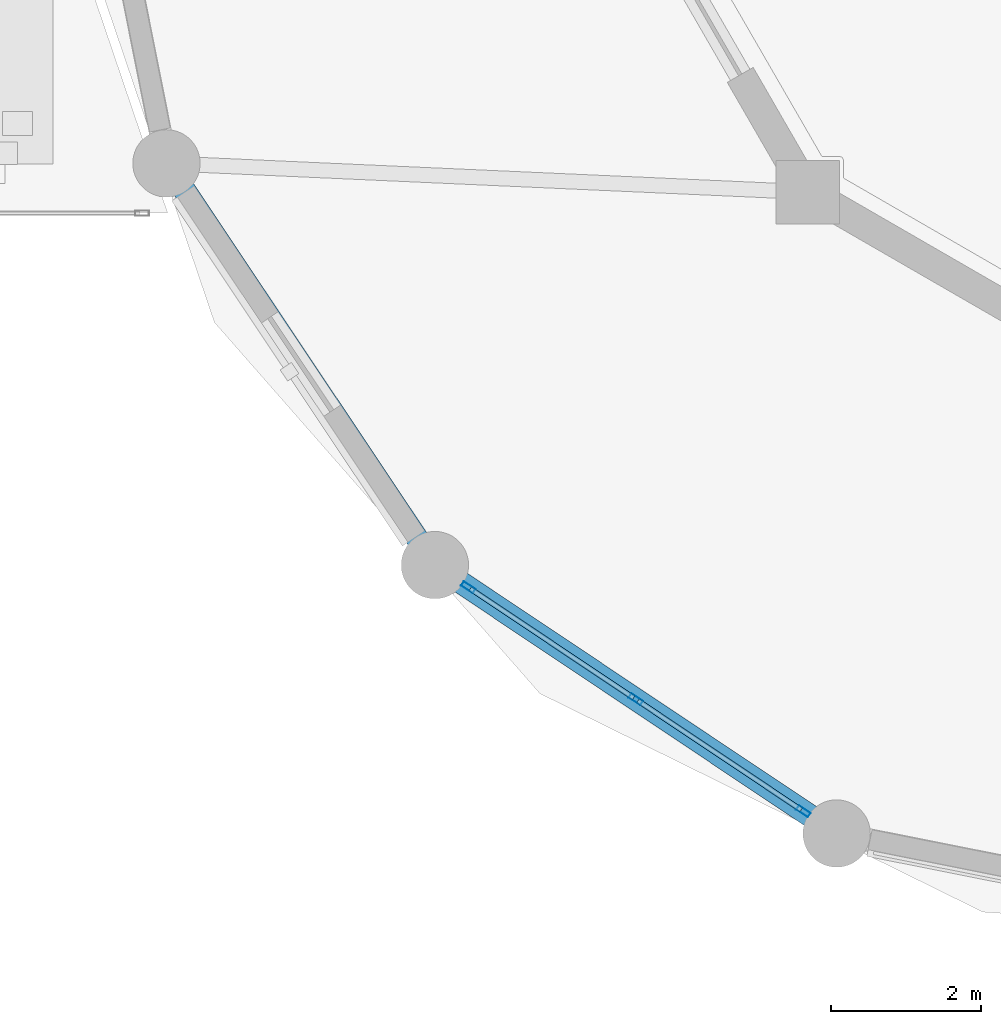
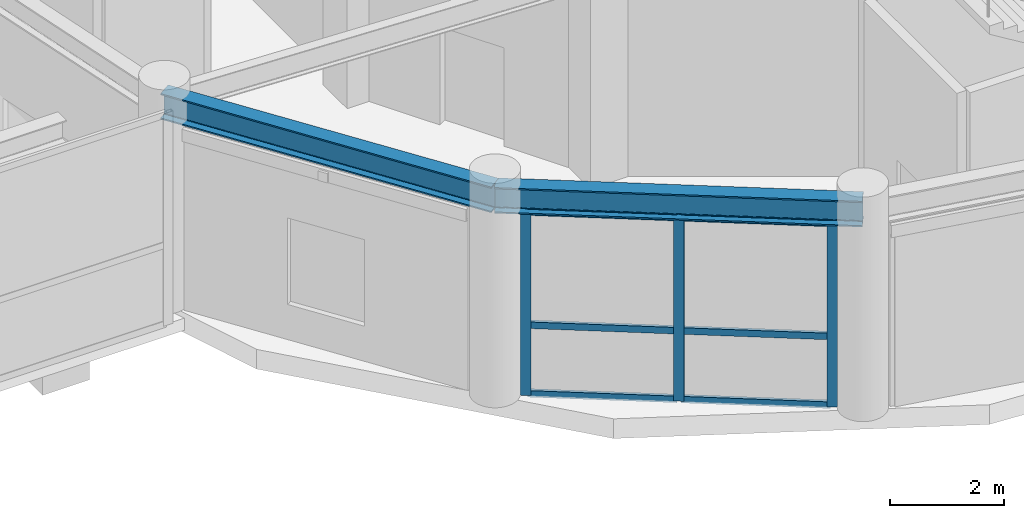
# One storey, part 22 of 48: 9 members, 2 beams, 1 element without a shape of its own.
"""IFC4 building model written with IfcOpenShell, lengths in metres."""

from ifc_helpers import new_model, si_unit, derived_unit, direction, frame, origin, origin_2d, place, context, subcontext, project, spatial, hollow_rectangle, i_section, extrude, source, transform, mapped, material, layer, layer_set, material_profile, profile_set, type_object, element, aggregate, save


model = new_model("IFC4")

# Units and contexts
model_context = context("Model", 3, precision=1e-05, world=origin(), true_north=direction((0.0, 1.0)))
body_context = subcontext(model_context, "Body", "Model", "MODEL_VIEW")
ifc_project = project(units=[si_unit("LENGTHUNIT", "METRE"), si_unit("AREAUNIT", "SQUARE_METRE"), si_unit("VOLUMEUNIT", "CUBIC_METRE"), si_unit("PLANEANGLEUNIT", "RADIAN"), si_unit("MASSUNIT", "GRAM", prefix="KILO"), derived_unit("THERMALTRANSMITTANCEUNIT", [(si_unit("POWERUNIT", "WATT"), 1), (si_unit("LENGTHUNIT", "METRE"), -2), (si_unit("THERMODYNAMICTEMPERATUREUNIT", "KELVIN"), -1)])], contexts=[model_context])

# Site, building, storey
site_placement = place(None, origin())
site = spatial("IfcSite", under=ifc_project, at=site_placement, CompositionType="ELEMENT")
building_placement = place(site_placement, origin())
building = spatial("IfcBuilding", under=site, at=building_placement, Name="Korsvarv Bourse and Concert Hall", CompositionType="ELEMENT")
storey_placement = place(building_placement, frame((0.0, 0.0, 4.800048828125)))
storey = spatial("IfcBuildingStorey", under=building, at=storey_placement, Name="L01", CompositionType="ELEMENT", Elevation=4.800048828125)

# Beams
ifc_material_1 = material(Name="Steel S355", Category="steel")
ifc_material_profile_1 = material_profile(ifc_material_1, i_section(OverallWidth=0.300048828125, OverallDepth=0.550048828125, WebThickness=0.014892578125, FlangeThickness=0.029052734375, FilletRadius=0.02392578125, at=origin_2d()), Name="HEB 550")
ifc_profile_set_1 = profile_set([ifc_material_profile_1], Name="Steel S355")
beam_type = type_object("IfcBeamType", Name="BM-HEB550", PredefinedType="BEAM", material=ifc_profile_set_1)
shared_shape_1 = source(origin(), body_context, "Body", "SweptSolid", [
    extrude(i_section(OverallWidth=0.300048828125, OverallDepth=0.550048828125, WebThickness=0.014892578125, FlangeThickness=0.029052734375, FilletRadius=0.02392578125, at=origin_2d()), origin(), (0.0, 0.0, 1.0), 6.45751953125),
])
for number, where, z_axis, x_axis, name in (
    (1, (91.509765625, 29.66650390625, 4.224853515625), (0.55558109052, -0.83146235745, 0.0), (0.83146235745, 0.55558109052, 0.0), "L01 beam B-06"),
    (2, (95.097412109375, 24.29736328125, 4.224853515625), (0.83146235745, -0.55558109052, 0.0), (0.55558109052, 0.83146235745, 0.0), "L01 beam B-06"),
):
    element("IfcBeam", number, at=place(storey_placement, frame(where, z_axis=z_axis, x_axis=x_axis)), inside=storey, type_object=beam_type, Name=name, PredefinedType="BEAM", context=body_context, shape_type="MappedRepresentation", body=[
        mapped(shared_shape_1, transform((0.0, 0.0, 0.0), scale=1.0)),
    ])

# Curtain wall, members
ifc_material_2 = material(Name="Anodised aluminium and triple low-E glazing", Category="glass")
ifc_layer = layer(ifc_material_2, 0.22998046875)
ifc_layer_set = layer_set([ifc_layer], Name="Anodised aluminium and triple low-E glazing")
curtain_wall_type = type_object("IfcCurtainWallType", Name="CW-SYS-6", PredefinedType="NOTDEFINED", material=ifc_layer_set)
curtain_wall_placement = place(storey_placement, origin())
curtain_wall = element("IfcCurtainWall", 3, at=curtain_wall_placement, inside=storey, type_object=curtain_wall_type, Name="L01 CW6 curtain wall CW-L01-CH11", PredefinedType="NOTDEFINED")
ifc_material_3 = material(Name="Extruded aluminium EN AW-6063 T66", Category="aluminium")
ifc_material_profile_2 = material_profile(ifc_material_3, hollow_rectangle(XDim=0.06494140625, YDim=0.139892578125, WallThickness=0.00390625, at=origin_2d()), Name="ALU-T 65x140")
ifc_profile_set_2 = profile_set([ifc_material_profile_2], Name="Extruded aluminium EN AW-6063 T66")
member_type_1 = type_object("IfcMemberType", Name="CWT-140", PredefinedType="USERDEFINED", material=ifc_profile_set_2)
shared_shape_2 = source(origin(), body_context, "Body", "SweptSolid", [
    extrude(hollow_rectangle(XDim=0.06494140625, YDim=0.139892578125, WallThickness=0.00390625, at=origin_2d()), origin(), (0.0, 0.0, 1.0), 2.62353515625),
])
member_1_placement = place(storey_placement, frame((95.571533203125, 23.980712890625, 0.032470703125), z_axis=(0.831434196411, -0.55562323299, 0.0), x_axis=(0.55562323299, 0.831434196411, 0.0)))
member_1 = element("IfcMember", 4, at=member_1_placement, type_object=member_type_1, Name="CW6 transom 1.1", ObjectType="TRANSOM", PredefinedType="USERDEFINED", context=body_context, shape_type="MappedRepresentation", body=[
    mapped(shared_shape_2, transform((0.0, 0.0, 0.0), scale=1.0)),
])
member_2_placement = place(storey_placement, frame((95.571533203125, 23.980712890625, 1.5009765625), z_axis=(0.831434196411, -0.55562323299, 0.0), x_axis=(0.55562323299, 0.831434196411, 0.0)))
member_2 = element("IfcMember", 5, at=member_2_placement, type_object=member_type_1, Name="CW6 transom 1.2", ObjectType="TRANSOM", PredefinedType="USERDEFINED", context=body_context, shape_type="MappedRepresentation", body=[
    mapped(shared_shape_2, transform((0.0, 0.0, 0.0), scale=1.0)),
])
member_3_placement = place(storey_placement, frame((95.571533203125, 23.980712890625, 3.91748046875), z_axis=(0.831434196411, -0.55562323299, 0.0), x_axis=(0.55562323299, 0.831434196411, 0.0)))
member_3 = element("IfcMember", 6, at=member_3_placement, type_object=member_type_1, Name="CW6 transom 1.3", ObjectType="TRANSOM", PredefinedType="USERDEFINED", context=body_context, shape_type="MappedRepresentation", body=[
    mapped(shared_shape_2, transform((0.0, 0.0, 0.0), scale=1.0)),
])
member_4_placement = place(storey_placement, frame((97.81103515625, 22.484130859375, 0.032470703125), z_axis=(0.831477183587, -0.555558901624, 0.0), x_axis=(0.555558901624, 0.831477183587, 0.0)))
member_4 = element("IfcMember", 7, at=member_4_placement, type_object=member_type_1, Name="CW6 transom 2.1", ObjectType="TRANSOM", PredefinedType="USERDEFINED", context=body_context, shape_type="MappedRepresentation", body=[
    mapped(shared_shape_2, transform((0.0, 0.0, 0.0), scale=1.0)),
])
member_5_placement = place(storey_placement, frame((97.81103515625, 22.484130859375, 1.5009765625), z_axis=(0.831477183587, -0.555558901624, 0.0), x_axis=(0.555558901624, 0.831477183587, 0.0)))
member_5 = element("IfcMember", 8, at=member_5_placement, type_object=member_type_1, Name="CW6 transom 2.2", ObjectType="TRANSOM", PredefinedType="USERDEFINED", context=body_context, shape_type="MappedRepresentation", body=[
    mapped(shared_shape_2, transform((0.0, 0.0, 0.0), scale=1.0)),
])
member_6_placement = place(storey_placement, frame((97.81103515625, 22.484130859375, 3.91748046875), z_axis=(0.831477183587, -0.555558901624, 0.0), x_axis=(0.555558901624, 0.831477183587, 0.0)))
member_6 = element("IfcMember", 9, at=member_6_placement, type_object=member_type_1, Name="CW6 transom 2.3", ObjectType="TRANSOM", PredefinedType="USERDEFINED", context=body_context, shape_type="MappedRepresentation", body=[
    mapped(shared_shape_2, transform((0.0, 0.0, 0.0), scale=1.0)),
])
ifc_material_profile_3 = material_profile(ifc_material_3, hollow_rectangle(XDim=0.070068359375, YDim=0.18994140625, WallThickness=0.0048828125, at=origin_2d()), Name="ALU-M 70x190")
ifc_profile_set_3 = profile_set([ifc_material_profile_3], Name="Extruded aluminium EN AW-6063 T66")
member_type_2 = type_object("IfcMemberType", Name="CWM-190", PredefinedType="MULLION", material=ifc_profile_set_3)
shared_shape_3 = source(origin(), body_context, "Body", "SweptSolid", [
    extrude(hollow_rectangle(XDim=0.070068359375, YDim=0.18994140625, WallThickness=0.0048828125, at=origin_2d()), origin(), (0.0, 0.0, 1.0), 3.949951171875),
])
member_7_placement = place(storey_placement, frame((95.54248046875, 24.0, 0.0), z_axis=(0.0, 0.0, 1.0), x_axis=(0.555571024599, 0.831469083386, 0.0)))
member_7 = element("IfcMember", 10, at=member_7_placement, type_object=member_type_2, Name="CW6 mullion 1", PredefinedType="MULLION", context=body_context, shape_type="MappedRepresentation", body=[
    mapped(shared_shape_3, transform((0.0, 0.0, 0.0), scale=1.0)),
])
member_8_placement = place(storey_placement, frame((97.781982421875, 22.503662109375, 0.0), z_axis=(0.0, 0.0, 1.0), x_axis=(0.555571024599, 0.831469083386, 0.0)))
member_8 = element("IfcMember", 11, at=member_8_placement, type_object=member_type_2, Name="CW6 mullion 2", PredefinedType="MULLION", context=body_context, shape_type="MappedRepresentation", body=[
    mapped(shared_shape_3, transform((0.0, 0.0, 0.0), scale=1.0)),
])
member_9_placement = place(storey_placement, frame((100.021484375, 21.007080078125, 0.0), z_axis=(0.0, 0.0, 1.0), x_axis=(0.555571024599, 0.831469083386, 0.0)))
member_9 = element("IfcMember", 12, at=member_9_placement, type_object=member_type_2, Name="CW6 mullion 3", PredefinedType="MULLION", context=body_context, shape_type="MappedRepresentation", body=[
    mapped(shared_shape_3, transform((0.0, 0.0, 0.0), scale=1.0)),
])
aggregate(curtain_wall, [member_7, member_8, member_9, member_1, member_2, member_3, member_4, member_5, member_6])

save(model, "model.ifc")
